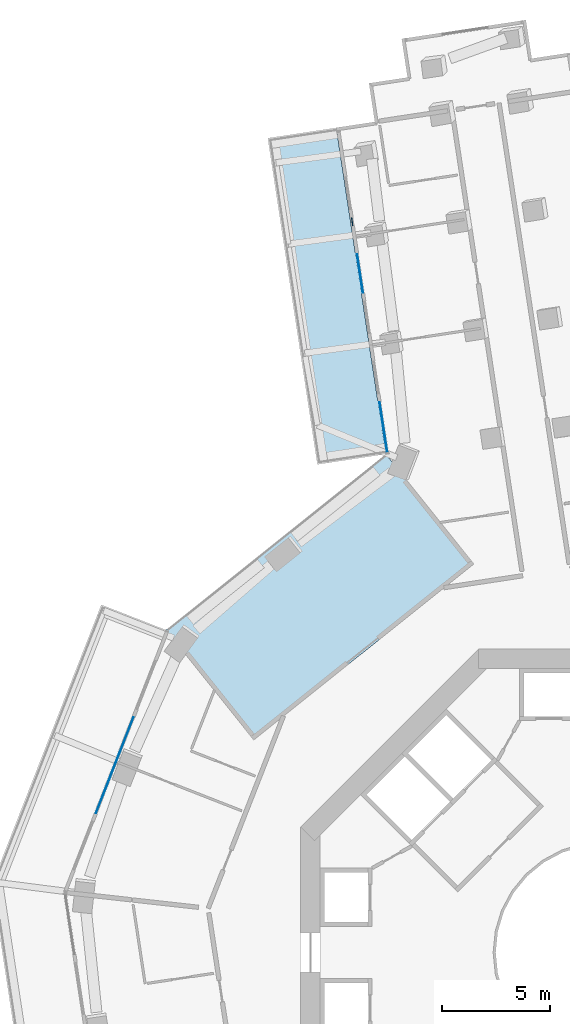
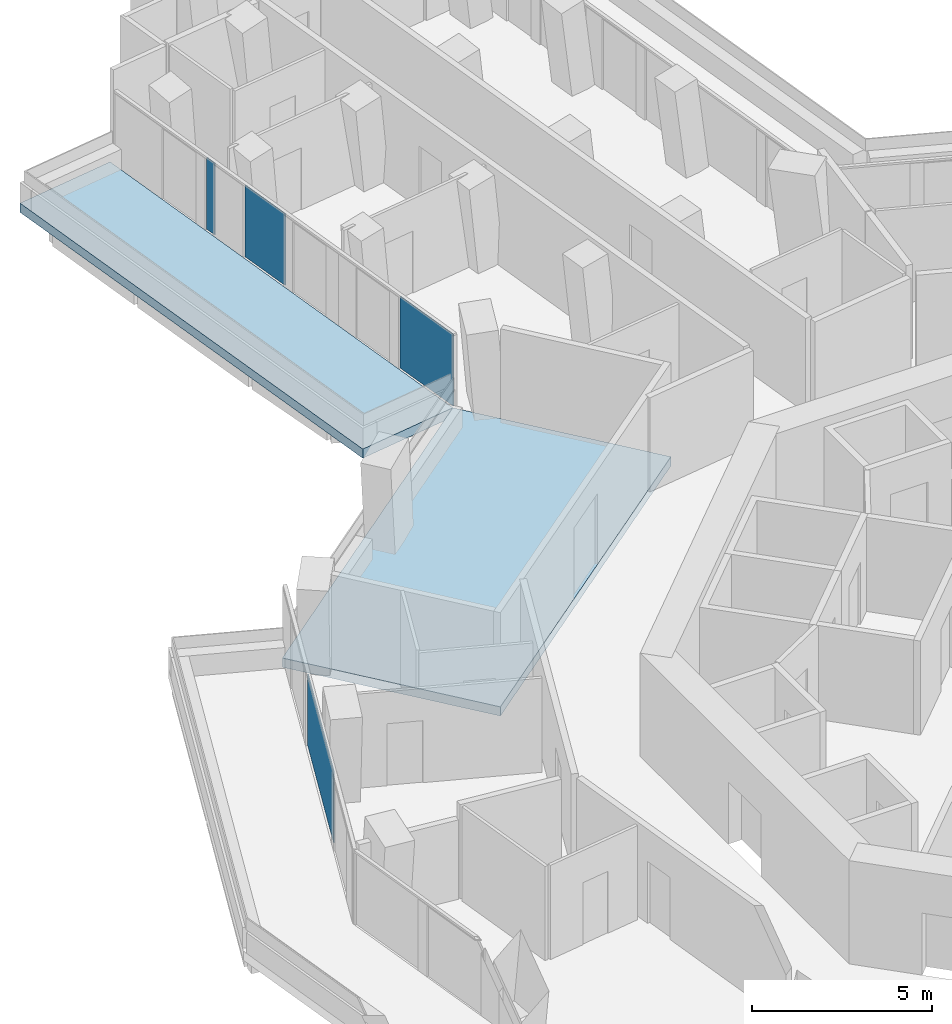
# One storey, part 16 of 28: 4 plates, 2 slabs, 2 elements without a shape of their own.
"""IFC4 building model written with IfcOpenShell, lengths in metres."""

from ifc_helpers import new_model, si_unit, direction, frame, origin, origin_2d, place, context, subcontext, project, spatial, polyline, rectangle, outline, extrude, material, layer, layer_set, type_object, element, aggregate, save


model = new_model("IFC4")

# Units and contexts
model_context = context("Model", 3, precision=1e-05, world=origin(), true_north=direction((0.0, 1.0)))
body_context = subcontext(model_context, "Body", "Model", "MODEL_VIEW")
ifc_project = project(units=[si_unit("LENGTHUNIT", "METRE"), si_unit("AREAUNIT", "SQUARE_METRE"), si_unit("VOLUMEUNIT", "CUBIC_METRE"), si_unit("PLANEANGLEUNIT", "RADIAN"), si_unit("MASSUNIT", "GRAM", prefix="KILO")], contexts=[model_context])

# Site, building, storey
site_placement = place(None, origin())
site = spatial("IfcSite", under=ifc_project, at=site_placement, CompositionType="ELEMENT")
building_placement = place(site_placement, origin())
building = spatial("IfcBuilding", under=site, at=building_placement, Name="Verdalira Terraces Hotel", CompositionType="ELEMENT")
storey_placement = place(building_placement, frame((0.0, 0.0, 68.0)))
storey = spatial("IfcBuildingStorey", under=building, at=storey_placement, Name="L15", CompositionType="ELEMENT", Elevation=68.0)

# Slab
ifc_material_1 = material(Name="Precast concrete C40/50", Category="concrete")
ifc_layer_1 = layer(ifc_material_1, 0.31005859375)
ifc_layer_set_1 = layer_set([ifc_layer_1], Name="Balcony deck 310")
slab_type_1 = type_object("IfcSlabType", Name="Balcony deck 310", PredefinedType="FLOOR", material=ifc_layer_set_1)
slab_1_placement = place(storey_placement, frame((0.0, 0.0, -0.310059)))
element("IfcSlab", 1, at=slab_1_placement, inside=storey, type_object=slab_type_1, Name="Balcony deck", PredefinedType="FLOOR", context=body_context, shape_type="SweptSolid", body=[
    extrude(outline(polyline([(-13.234131, 22.525879), (-10.070557, 23.006592), (-12.359619, 38.071533), (-15.523193, 37.59082), (-13.234131, 22.525879)])), origin(), (0.0, 0.0, 1.0), 0.310059),
])

# Curtain wall, plate
ifc_material_2 = material(Name="Clear glass", Category="glass")
ifc_layer_2 = layer(ifc_material_2, 0.14990234375)
ifc_layer_set_2 = layer_set([ifc_layer_2], Name="CW1 curtain wall")
curtain_wall_type_1 = type_object("IfcCurtainWallType", Name="CW1 curtain wall", PredefinedType="NOTDEFINED", material=ifc_layer_set_2)
curtain_wall_1_placement = place(storey_placement, origin())
curtain_wall_1 = element("IfcCurtainWall", 2, at=curtain_wall_1_placement, inside=storey, type_object=curtain_wall_type_1, Name="CW1 curtain wall L15 edge 12", PredefinedType="NOTDEFINED")
ifc_material_3 = material(Name="Clear glass", Category="glass")
ifc_layer_3 = layer(ifc_material_3, 0.028076171875)
ifc_layer_set_3 = layer_set([ifc_layer_3], Name="CW1 glass unit 28")
plate_type_1 = type_object("IfcPlateType", Name="CW1 glass unit 28", PredefinedType="CURTAIN_PANEL", material=ifc_layer_set_3)
plate_1_placement = place(storey_placement, frame((-22.587158, 8.641846, 0.0), z_axis=(0.0, 0.0, 1.0), x_axis=(-0.364226696, -0.931310321, 0.0)))
plate_1 = element("IfcPlate", 3, at=plate_1_placement, type_object=plate_type_1, Name="CW1 glass unit", PredefinedType="CURTAIN_PANEL", context=body_context, shape_type="SweptSolid", body=[
    extrude(rectangle(XDim=4.759277, YDim=0.028076, at=origin_2d()), origin(), (0.0, 0.0, 1.0), 2.425049),
])
aggregate(curtain_wall_1, [plate_1])

# Curtain wall, plates
ifc_material_4 = material(Name="Clear glass", Category="glass")
ifc_layer_4 = layer(ifc_material_4, 0.14990234375)
ifc_layer_set_4 = layer_set([ifc_layer_4], Name="CW2 curtain wall")
curtain_wall_type_2 = type_object("IfcCurtainWallType", Name="CW2 curtain wall", PredefinedType="NOTDEFINED", material=ifc_layer_set_4)
curtain_wall_2_placement = place(storey_placement, origin())
curtain_wall_2 = element("IfcCurtainWall", 4, at=curtain_wall_2_placement, inside=storey, type_object=curtain_wall_type_2, Name="CW2 curtain wall L15 edge 10", PredefinedType="NOTDEFINED")
ifc_material_5 = material(Name="Clear glass", Category="glass")
ifc_layer_5 = layer(ifc_material_5, 0.031982421875)
ifc_layer_set_5 = layer_set([ifc_layer_5], Name="CW2 glass unit 32")
plate_type_2 = type_object("IfcPlateType", Name="CW2 glass unit 32", PredefinedType="CURTAIN_PANEL", material=ifc_layer_set_5)
plate_2_placement = place(storey_placement, frame((-11.624756, 33.735352, 0.0), z_axis=(0.0, 0.0, 1.0), x_axis=(0.150225589, -0.988651745, 0.0)))
plate_2 = element("IfcPlate", 5, at=plate_2_placement, type_object=plate_type_2, Name="CW2 glass unit", PredefinedType="CURTAIN_PANEL", context=body_context, shape_type="SweptSolid", body=[
    extrude(rectangle(XDim=0.364014, YDim=0.031982, at=origin_2d()), origin(), (0.0, 0.0, 1.0), 2.425049),
])
plate_3_placement = place(storey_placement, frame((-11.261963, 31.346436, 0.0), z_axis=(0.0, 0.0, 1.0), x_axis=(0.150225589, -0.988651745, 0.0)))
plate_3 = element("IfcPlate", 6, at=plate_3_placement, type_object=plate_type_2, Name="CW2 glass unit", PredefinedType="CURTAIN_PANEL", context=body_context, shape_type="SweptSolid", body=[
    extrude(rectangle(XDim=1.790039, YDim=0.031982, at=origin_2d()), origin(), (0.0, 0.0, 1.0), 2.425049),
])
plate_4_placement = place(storey_placement, frame((-10.183105, 24.246826, 0.0), z_axis=(0.0, 0.0, 1.0), x_axis=(0.150225589, -0.988651745, 0.0)))
plate_4 = element("IfcPlate", 7, at=plate_4_placement, type_object=plate_type_2, Name="CW2 glass unit", PredefinedType="CURTAIN_PANEL", context=body_context, shape_type="SweptSolid", body=[
    extrude(rectangle(XDim=2.346191, YDim=0.031982, at=origin_2d()), origin(), (0.0, 0.0, 1.0), 2.425049),
])
aggregate(curtain_wall_2, [plate_2, plate_3, plate_4])

# Slab
ifc_material_6 = material(Name="Concrete C40", Category="concrete")
ifc_layer_6 = layer(ifc_material_6, 0.31005859375)
ifc_layer_set_6 = layer_set([ifc_layer_6], Name="Loggia floor deck 310 C40")
slab_type_2 = type_object("IfcSlabType", Name="Loggia floor deck 310 C40", PredefinedType="FLOOR", material=ifc_layer_set_6)
slab_2_placement = place(storey_placement, frame((0.0, 0.0, -0.310059)))
element("IfcSlab", 8, at=slab_2_placement, inside=storey, type_object=slab_type_2, Name="Loggia deck L15", PredefinedType="FLOOR", context=body_context, shape_type="SweptSolid", body=[
    extrude(outline(polyline([(-6.011719, 17.929443), (-10.070557, 23.006592), (-20.224609, 14.888916), (-16.165771, 9.812012), (-6.011719, 17.929443)])), origin(), (0.0, 0.0, 1.0), 0.310059),
])

save(model, "model.ifc")
